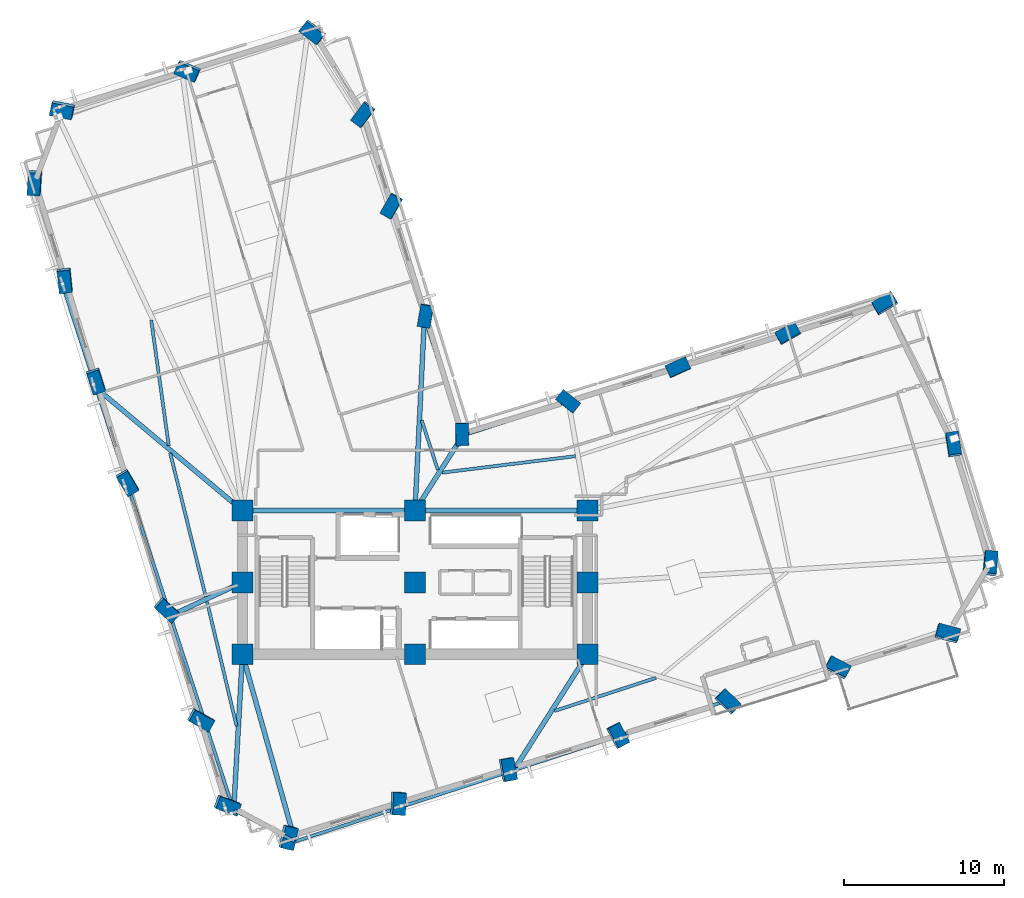
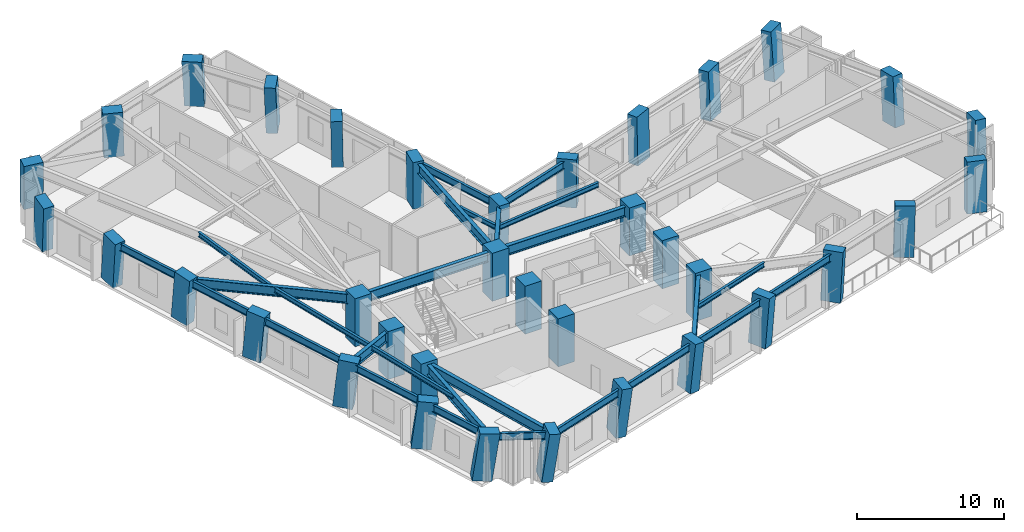
# One storey, part 1 of 14: 36 columns, 27 beams.
"""IFC4 building model written with IfcOpenShell, lengths in metres."""

from ifc_helpers import new_model, si_unit, direction, frame, origin, origin_2d, place, context, subcontext, project, spatial, rectangle, i_section, extrude, material, material_profile, profile_set, type_object, element, save


model = new_model("IFC4")

# Units and contexts
model_context = context("Model", 3, precision=1e-05, world=origin(), true_north=direction((0.0, 1.0)))
body_context = subcontext(model_context, "Body", "Model", "MODEL_VIEW")
ifc_project = project(units=[si_unit("LENGTHUNIT", "METRE"), si_unit("AREAUNIT", "SQUARE_METRE"), si_unit("VOLUMEUNIT", "CUBIC_METRE"), si_unit("PLANEANGLEUNIT", "RADIAN"), si_unit("MASSUNIT", "GRAM", prefix="KILO")], contexts=[model_context])

# Site, building, storey
site_placement = place(None, origin())
site = spatial("IfcSite", under=ifc_project, at=site_placement, CompositionType="ELEMENT")
building_placement = place(site_placement, origin())
building = spatial("IfcBuilding", under=site, at=building_placement, Name="Gaonmaruhae Medical Tower", CompositionType="ELEMENT")
storey_placement = place(building_placement, frame((0.0, 0.0, 96.39990234375)))
storey = spatial("IfcBuildingStorey", under=building, at=storey_placement, Name="L22", CompositionType="ELEMENT", Elevation=96.39990234375)

# Columns
ifc_material_1 = material(Name="Concrete C60/75", Category="concrete")
ifc_material_profile_1 = material_profile(ifc_material_1, rectangle(XDim=1.300048828125, YDim=1.300048828125, at=origin_2d()), Name="RC-1300x1300")
ifc_profile_set_1 = profile_set([ifc_material_profile_1], Name="Concrete C60/75")
column_type_1 = type_object("IfcColumnType", Name="CC-03 Zone 2 Core Column (RC-1300x1300)", PredefinedType="COLUMN", material=ifc_profile_set_1)
for number, where, z_axis, x_axis, name in (
    (1, (14.0, 7.800048828125, 0.0), (0.0, 0.0, 1.0), (1.0, 0.0, 0.0), "L22 Plumb Core Column CC11"),
    (2, (14.0, 12.300048828125, 0.0), (0.0, 0.0, 1.0), (1.0, 0.0, 0.0), "L22 Plumb Core Column CC12"),
    (3, (14.0, 16.800048828125, 0.0), (0.0, 0.0, 1.0), (1.0, 0.0, 0.0), "L22 Plumb Core Column CC13"),
    (4, (24.800048828125, 7.800048828125, 0.0), (0.0, 0.0, 1.0), (1.0, 0.0, 0.0), "L22 Plumb Core Column CC21"),
    (5, (24.800048828125, 12.300048828125, 0.0), (0.0, 0.0, 1.0), (1.0, 0.0, 0.0), "L22 Plumb Core Column CC22"),
    (6, (24.800048828125, 16.800048828125, 0.0), (0.0, 0.0, 1.0), (1.0, 0.0, 0.0), "L22 Plumb Core Column CC23"),
    (7, (35.60009765625, 7.800048828125, 0.0), (0.0, 0.0, 1.0), (1.0, 0.0, 0.0), "L22 Plumb Core Column CC31"),
    (8, (35.60009765625, 12.300048828125, 0.0), (0.0, 0.0, 1.0), (1.0, 0.0, 0.0), "L22 Plumb Core Column CC32"),
    (9, (35.60009765625, 16.800048828125, 0.0), (0.0, 0.0, 1.0), (1.0, 0.0, 0.0), "L22 Plumb Core Column CC33"),
):
    element("IfcColumn", number, at=place(storey_placement, frame(where, z_axis=z_axis, x_axis=x_axis)), inside=storey, type_object=column_type_1, Name=name, PredefinedType="COLUMN", context=body_context, shape_type="SweptSolid", body=[
        extrude(rectangle(XDim=1.300048828125, YDim=1.300048828125, at=origin_2d()), origin(), (0.0, 0.0, 1.0), 4.0),
    ])
ifc_material_profile_2 = material_profile(ifc_material_1, rectangle(XDim=1.39990234375, YDim=0.800048828125, at=origin_2d()), Name="RC-1400x800")
ifc_profile_set_2 = profile_set([ifc_material_profile_2], Name="Concrete C60/75")
column_type_2 = type_object("IfcColumnType", Name="TC-02 Mid Raking Tube Pier Column (RC-1400x800)", PredefinedType="COLUMN", material=ifc_profile_set_2)
column_1_placement = place(storey_placement, frame((16.8212890625, -3.64111328125, 0.001953125), z_axis=(0.117361622232, -0.067911160466, 0.990764514863), x_axis=(0.226549245914, 0.973183342901, 0.03987004233)))
element("IfcColumn", 10, at=column_1_placement, inside=storey, type_object=column_type_2, Name="L22 Perimeter Tube Column S01", PredefinedType="COLUMN", context=body_context, shape_type="SweptSolid", body=[
    extrude(rectangle(XDim=1.39990234375, YDim=0.800048828125, at=origin_2d()), origin(), (0.0, 0.0, 1.0), 4.03369140625),
])
column_2_placement = place(storey_placement, frame((23.702880859375, -1.52392578125, 0.001953125), z_axis=(0.108738529907, -0.039866748967, 0.993270645112), x_axis=(0.054793722335, 0.997916793661, 0.034054675485)))
element("IfcColumn", 11, at=column_2_placement, inside=storey, type_object=column_type_2, Name="L22 Perimeter Tube Column S02", PredefinedType="COLUMN", context=body_context, shape_type="SweptSolid", body=[
    extrude(rectangle(XDim=1.39990234375, YDim=0.800048828125, at=origin_2d()), origin(), (0.0, 0.0, 1.0), 4.0234375),
])
column_3_placement = place(storey_placement, frame((30.584716796875, 0.59326171875, 0.001953125), z_axis=(0.099924278098, -0.011609207492, 0.994927316415), x_axis=(-0.180291978326, 0.983168277463, 0.029579397236)))
element("IfcColumn", 12, at=column_3_placement, inside=storey, type_object=column_type_2, Name="L22 Perimeter Tube Column S03", PredefinedType="COLUMN", context=body_context, shape_type="SweptSolid", body=[
    extrude(rectangle(XDim=1.39990234375, YDim=0.800048828125, at=origin_2d()), origin(), (0.0, 0.0, 1.0), 4.0166015625),
])
column_4_placement = place(storey_placement, frame((37.46630859375, 2.710205078125, 0.001953125), z_axis=(0.091060551316, 0.016727890188, 0.995704852697), x_axis=(-0.460649221978, 0.887164683089, 0.027223507694)))
element("IfcColumn", 13, at=column_4_placement, inside=storey, type_object=column_type_2, Name="L22 Perimeter Tube Column S04", PredefinedType="COLUMN", context=body_context, shape_type="SweptSolid", body=[
    extrude(rectangle(XDim=1.39990234375, YDim=0.800048828125, at=origin_2d()), origin(), (0.0, 0.0, 1.0), 4.013671875),
])
column_5_placement = place(storey_placement, frame((44.34814453125, 4.827392578125, 0.001953125), z_axis=(0.082049974213, 0.045069704145, 0.995608619639), x_axis=(-0.716749237193, 0.696787516623, 0.027526126896)))
element("IfcColumn", 14, at=column_5_placement, inside=storey, type_object=column_type_2, Name="L22 Perimeter Tube Column S05", PredefinedType="COLUMN", context=body_context, shape_type="SweptSolid", body=[
    extrude(rectangle(XDim=1.39990234375, YDim=0.800048828125, at=origin_2d()), origin(), (0.0, 0.0, 1.0), 4.013916015625),
])
column_6_placement = place(storey_placement, frame((51.229736328125, 6.944580078125, 0.001953125), z_axis=(0.07303740566, 0.07328045859, 0.994633355445), x_axis=(-0.883427735312, 0.467578794967, 0.030422146198)))
element("IfcColumn", 15, at=column_6_placement, inside=storey, type_object=column_type_2, Name="L22 Perimeter Tube Column S06", PredefinedType="COLUMN", context=body_context, shape_type="SweptSolid", body=[
    extrude(rectangle(XDim=1.39990234375, YDim=0.800048828125, at=origin_2d()), origin(), (0.0, 0.0, 1.0), 4.017822265625),
])
column_7_placement = place(storey_placement, frame((58.111328125, 9.061767578125, 0.001953125), z_axis=(0.063925688501, 0.101407733561, 0.992788989627), x_axis=(-0.964220765458, 0.262746812496, 0.035248091899)))
element("IfcColumn", 16, at=column_7_placement, inside=storey, type_object=column_type_2, Name="L22 Perimeter Tube Column S07", PredefinedType="COLUMN", context=body_context, shape_type="SweptSolid", body=[
    extrude(rectangle(XDim=1.39990234375, YDim=0.800048828125, at=origin_2d()), origin(), (0.0, 0.0, 1.0), 4.025390625),
])
column_8_placement = place(storey_placement, frame((60.79150390625, 13.443603515625, 0.001953125), z_axis=(0.045783616594, 0.112245661345, 0.992625192085), x_axis=(-0.086057230979, -0.989529923829, 0.115864933618)))
element("IfcColumn", 17, at=column_8_placement, inside=storey, type_object=column_type_2, Name="L22 Perimeter Tube Column E01", PredefinedType="COLUMN", context=body_context, shape_type="SweptSolid", body=[
    extrude(rectangle(XDim=1.39990234375, YDim=0.800048828125, at=origin_2d()), origin(), (0.0, 0.0, 1.0), 4.026123046875),
])
column_9_placement = place(storey_placement, frame((58.497802734375, 20.898681640625, 0.001953125), z_axis=(0.015250821808, 0.102806336649, 0.994584470811), x_axis=(0.151364494888, -0.983473931417, 0.099336880918)))
element("IfcColumn", 18, at=column_9_placement, inside=storey, type_object=column_type_2, Name="L22 Perimeter Tube Column E02", PredefinedType="COLUMN", context=body_context, shape_type="SweptSolid", body=[
    extrude(rectangle(XDim=1.39990234375, YDim=0.800048828125, at=origin_2d()), origin(), (0.0, 0.0, 1.0), 4.01806640625),
])
column_10_placement = place(storey_placement, frame((54.2119140625, 29.728759765625, 0.001953125), z_axis=(-0.021056394497, 0.084955857564, 0.996162200907), x_axis=(-0.857256251173, -0.514246403244, 0.025736289084)))
element("IfcColumn", 19, at=column_10_placement, inside=storey, type_object=column_type_2, Name="L22 Perimeter Tube Column E03", PredefinedType="COLUMN", context=body_context, shape_type="SweptSolid", body=[
    extrude(rectangle(XDim=1.39990234375, YDim=0.800048828125, at=origin_2d()), origin(), (0.0, 0.0, 1.0), 4.01171875),
])
column_11_placement = place(storey_placement, frame((48.142578125, 27.861572265625, 0.001953125), z_axis=(-0.013170706194, 0.060060859267, 0.998107822674), x_axis=(-0.870744822712, -0.491402654713, 0.018079951933)))
element("IfcColumn", 20, at=column_11_placement, inside=storey, type_object=column_type_2, Name="L22 Perimeter Tube Column EN01", PredefinedType="COLUMN", context=body_context, shape_type="SweptSolid", body=[
    extrude(rectangle(XDim=1.39990234375, YDim=0.800048828125, at=origin_2d()), origin(), (0.0, 0.0, 1.0), 4.00390625),
])
column_12_placement = place(storey_placement, frame((41.260986328125, 25.744384765625, 0.001953125), z_axis=(-0.004152063563, 0.031751074307, 0.999487183334), x_axis=(-0.909616782217, -0.415341613955, 0.009415584218)))
element("IfcColumn", 21, at=column_12_placement, inside=storey, type_object=column_type_2, Name="L22 Perimeter Tube Column EN02", PredefinedType="COLUMN", context=body_context, shape_type="SweptSolid", body=[
    extrude(rectangle(XDim=1.39990234375, YDim=0.800048828125, at=origin_2d()), origin(), (0.0, 0.0, 1.0), 3.998291015625),
])
column_13_placement = place(storey_placement, frame((34.37939453125, 23.627197265625, 0.001953125), z_axis=(0.004826113392, 0.003298862319, 0.999982912922), x_axis=(-0.782107631441, 0.62314099382, 0.001718913142)))
element("IfcColumn", 22, at=column_13_placement, inside=storey, type_object=column_type_2, Name="L22 Perimeter Tube Column EN03", PredefinedType="COLUMN", context=body_context, shape_type="SweptSolid", body=[
    extrude(rectangle(XDim=1.39990234375, YDim=0.800048828125, at=origin_2d()), origin(), (0.0, 0.0, 1.0), 3.996337890625),
])
column_14_placement = place(storey_placement, frame((27.736572265625, 21.583740234375, 0.001953125), z_axis=(0.013495951859, -0.024182791566, 0.999616452383), x_axis=(-0.021912267051, 0.999460271394, 0.024474853595)))
element("IfcColumn", 23, at=column_14_placement, inside=storey, type_object=column_type_2, Name="L22 Perimeter Tube Column KN01", PredefinedType="COLUMN", context=body_context, shape_type="SweptSolid", body=[
    extrude(rectangle(XDim=1.39990234375, YDim=0.800048828125, at=origin_2d()), origin(), (0.0, 0.0, 1.0), 3.997802734375),
])
column_15_placement = place(storey_placement, frame((25.457763671875, 28.990966796875, 0.001953125), z_axis=(-0.017093218306, -0.033820153363, 0.999281751617), x_axis=(0.168398647055, 0.985053333216, 0.036219143978)))
element("IfcColumn", 24, at=column_15_placement, inside=storey, type_object=column_type_2, Name="L22 Perimeter Tube Column NE01", PredefinedType="COLUMN", context=body_context, shape_type="SweptSolid", body=[
    extrude(rectangle(XDim=1.39990234375, YDim=0.800048828125, at=origin_2d()), origin(), (0.0, 0.0, 1.0), 3.999267578125),
])
column_16_placement = place(storey_placement, frame((23.340576171875, 35.872802734375, 0.001953125), z_axis=(-0.045484855121, -0.042863073928, 0.998045031473), x_axis=(0.492578807778, 0.86821525244, 0.059736032321)))
element("IfcColumn", 25, at=column_16_placement, inside=storey, type_object=column_type_2, Name="L22 Perimeter Tube Column NE02", PredefinedType="COLUMN", context=body_context, shape_type="SweptSolid", body=[
    extrude(rectangle(XDim=1.39990234375, YDim=0.800048828125, at=origin_2d()), origin(), (0.0, 0.0, 1.0), 4.004150390625),
])
column_17_placement = place(storey_placement, frame((21.576171875, 41.607421875, 0.001953125), z_axis=(-0.068963873913, -0.050216413043, 0.996354503154), x_axis=(0.596759663559, 0.798266514459, 0.081538186404)))
element("IfcColumn", 26, at=column_17_placement, inside=storey, type_object=column_type_2, Name="L22 Perimeter Tube Column NE03", PredefinedType="COLUMN", context=body_context, shape_type="SweptSolid", body=[
    extrude(rectangle(XDim=1.39990234375, YDim=0.800048828125, at=origin_2d()), origin(), (0.0, 0.0, 1.0), 4.010986328125),
])
column_18_placement = place(storey_placement, frame((18.42236328125, 46.7578125, 0.001953125), z_axis=(-0.089927303645, -0.063270932072, 0.993936551906), x_axis=(0.789011269168, -0.61352743043, 0.032331242417)))
element("IfcColumn", 27, at=column_18_placement, inside=storey, type_object=column_type_2, Name="L22 Perimeter Tube Column N01", PredefinedType="COLUMN", context=body_context, shape_type="SweptSolid", body=[
    extrude(rectangle(XDim=1.39990234375, YDim=0.800048828125, at=origin_2d()), origin(), (0.0, 0.0, 1.0), 4.020751953125),
])
column_19_placement = place(storey_placement, frame((10.5849609375, 44.3466796875, 0.001953125), z_axis=(-0.079651712369, -0.095351707425, 0.992251811088), x_axis=(0.920581175981, -0.388838882589, 0.036532476201)))
element("IfcColumn", 28, at=column_19_placement, inside=storey, type_object=column_type_2, Name="L22 Perimeter Tube Column N02", PredefinedType="COLUMN", context=body_context, shape_type="SweptSolid", body=[
    extrude(rectangle(XDim=1.39990234375, YDim=0.800048828125, at=origin_2d()), origin(), (0.0, 0.0, 1.0), 4.027587890625),
])
column_20_placement = place(storey_placement, frame((2.747314453125, 41.935302734375, 0.001953125), z_axis=(-0.069212686317, -0.127121641331, 0.989469399405), x_axis=(0.978560331574, -0.20151506119, 0.042560046794)))
element("IfcColumn", 29, at=column_20_placement, inside=storey, type_object=column_type_2, Name="L22 Perimeter Tube Column N03", PredefinedType="COLUMN", context=body_context, shape_type="SweptSolid", body=[
    extrude(rectangle(XDim=1.39990234375, YDim=0.800048828125, at=origin_2d()), origin(), (0.0, 0.0, 1.0), 4.038818359375),
])
column_21_placement = place(storey_placement, frame((1.01220703125, 37.37353515625, 0.001953125), z_axis=(-0.050484662308, -0.134101773653, 0.989680763264), x_axis=(0.058089420302, 0.988872500431, 0.136955456772)))
element("IfcColumn", 30, at=column_21_placement, inside=storey, type_object=column_type_2, Name="L22 Perimeter Tube Column W01", PredefinedType="COLUMN", context=body_context, shape_type="SweptSolid", body=[
    extrude(rectangle(XDim=1.39990234375, YDim=0.800048828125, at=origin_2d()), origin(), (0.0, 0.0, 1.0), 4.0380859375),
])
column_22_placement = place(storey_placement, frame((2.89404296875, 31.25634765625, 0.001953125), z_axis=(-0.025504522349, -0.126432157108, 0.991647330954), x_axis=(-0.100812738036, 0.987238333702, 0.123277184906)))
element("IfcColumn", 31, at=column_22_placement, inside=storey, type_object=column_type_2, Name="L22 Perimeter Tube Column W02", PredefinedType="COLUMN", context=body_context, shape_type="SweptSolid", body=[
    extrude(rectangle(XDim=1.39990234375, YDim=0.800048828125, at=origin_2d()), origin(), (0.0, 0.0, 1.0), 4.030029296875),
])
column_23_placement = place(storey_placement, frame((4.834716796875, 24.9482421875, 0.001953125), z_axis=(0.000363967728, -0.118410834105, 0.99296462268), x_axis=(-0.296956141617, 0.948160358694, 0.113176782761)))
element("IfcColumn", 32, at=column_23_placement, inside=storey, type_object=column_type_2, Name="L22 Perimeter Tube Column W03", PredefinedType="COLUMN", context=body_context, shape_type="SweptSolid", body=[
    extrude(rectangle(XDim=1.39990234375, YDim=0.800048828125, at=origin_2d()), origin(), (0.0, 0.0, 1.0), 4.024658203125),
])
column_24_placement = place(storey_placement, frame((6.7900390625, 18.59228515625, 0.001953125), z_axis=(0.026524678267, -0.110226122959, 0.993552536739), x_axis=(-0.508055274423, 0.854480999744, 0.108360782605)))
element("IfcColumn", 33, at=column_24_placement, inside=storey, type_object=column_type_2, Name="L22 Perimeter Tube Column W04", PredefinedType="COLUMN", context=body_context, shape_type="SweptSolid", body=[
    extrude(rectangle(XDim=1.39990234375, YDim=0.800048828125, at=origin_2d()), origin(), (0.0, 0.0, 1.0), 4.022216796875),
])
column_25_placement = place(storey_placement, frame((9.245361328125, 10.611328125, 0.001953125), z_axis=(0.059282777217, -0.099755256647, 0.993244401493), x_axis=(-0.737766845814, 0.665881934483, 0.110911363471)))
element("IfcColumn", 34, at=column_25_placement, inside=storey, type_object=column_type_2, Name="L22 Perimeter Tube Column W05", PredefinedType="COLUMN", context=body_context, shape_type="SweptSolid", body=[
    extrude(rectangle(XDim=1.39990234375, YDim=0.800048828125, at=origin_2d()), origin(), (0.0, 0.0, 1.0), 4.0234375),
])
column_26_placement = place(storey_placement, frame((11.362548828125, 3.729736328125, 0.001953125), z_axis=(0.087391606735, -0.090724851098, 0.992034126664), x_axis=(-0.869573642729, 0.47890015271, 0.12040067942)))
element("IfcColumn", 35, at=column_26_placement, inside=storey, type_object=column_type_2, Name="L22 Perimeter Tube Column W06", PredefinedType="COLUMN", context=body_context, shape_type="SweptSolid", body=[
    extrude(rectangle(XDim=1.39990234375, YDim=0.800048828125, at=origin_2d()), origin(), (0.0, 0.0, 1.0), 4.0283203125),
])
column_27_placement = place(storey_placement, frame((13.00927734375, -1.622802734375, 0.001953125), z_axis=(0.109161356528, -0.083625828559, 0.99050013581), x_axis=(-0.93034853172, 0.342311315706, 0.131432768619)))
element("IfcColumn", 36, at=column_27_placement, inside=storey, type_object=column_type_2, Name="L22 Perimeter Tube Column W07", PredefinedType="COLUMN", context=body_context, shape_type="SweptSolid", body=[
    extrude(rectangle(XDim=1.39990234375, YDim=0.800048828125, at=origin_2d()), origin(), (0.0, 0.0, 1.0), 4.03466796875),
])

# Beams
ifc_material_2 = material(Name="Steel SM355", Category="steel")
ifc_material_profile_3 = material_profile(ifc_material_2, i_section(OverallWidth=0.199951171875, OverallDepth=0.39990234375, WebThickness=0.008056640625, FlangeThickness=0.012939453125, FilletRadius=0.012939453125, at=origin_2d()), Name="H-400x200x8x13")
ifc_profile_set_3 = profile_set([ifc_material_profile_3], Name="Steel SM355")
beam_type_1 = type_object("IfcBeamType", Name="FJ-01 Lower Zone Ward Floor Joist (H-400x200x8x13)", PredefinedType="JOIST", material=ifc_profile_set_3)
beam_1_placement = place(storey_placement, frame((33.523193359375, 4.248291015625, 3.580078125), z_axis=(0.950788969728, 0.309839208371, 0.0), x_axis=(-0.309839208371, 0.950788969728, 0.0)))
element("IfcBeam", 37, at=beam_1_placement, inside=storey, type_object=beam_type_1, Name="L22 Secondary Floor Joist FJ02", PredefinedType="JOIST", context=body_context, shape_type="SweptSolid", body=[
    extrude(i_section(OverallWidth=0.199951171875, OverallDepth=0.39990234375, WebThickness=0.008056640625, FlangeThickness=0.012939453125, FilletRadius=0.012939453125, at=origin_2d()), origin(), (0.0, 0.0, 1.0), 6.69140625),
])
beam_2_placement = place(storey_placement, frame((34.84423828125, 20.200927734375, 3.580078125), z_axis=(-0.992438199584, -0.122745346167, 0.0), x_axis=(0.122745346167, -0.992438199584, 0.0)))
element("IfcBeam", 38, at=beam_2_placement, inside=storey, type_object=beam_type_1, Name="L22 Secondary Floor Joist FJ07", PredefinedType="JOIST", context=body_context, shape_type="SweptSolid", body=[
    extrude(i_section(OverallWidth=0.199951171875, OverallDepth=0.39990234375, WebThickness=0.008056640625, FlangeThickness=0.012939453125, FilletRadius=0.012939453125, at=origin_2d()), origin(), (0.0, 0.0, 1.0), 8.41357421875),
])
beam_3_placement = place(storey_placement, frame((26.2333984375, 19.333740234375, 3.580078125), z_axis=(-0.309890196575, 0.950772352389, 0.0), x_axis=(-0.950772352389, -0.309890196575, 0.0)))
element("IfcBeam", 39, at=beam_3_placement, inside=storey, type_object=beam_type_1, Name="L22 Secondary Floor Joist FJ08", PredefinedType="JOIST", context=body_context, shape_type="SweptSolid", body=[
    extrude(i_section(OverallWidth=0.199951171875, OverallDepth=0.39990234375, WebThickness=0.008056640625, FlangeThickness=0.012939453125, FilletRadius=0.012939453125, at=origin_2d()), origin(), (0.0, 0.0, 1.0), 3.274169921875),
])
beam_4_placement = place(storey_placement, frame((8.289306640625, 28.714111328125, 3.580078125), z_axis=(0.138376587485, -0.990379684786, 0.0), x_axis=(0.990379684786, 0.138376587485, 0.0)))
element("IfcBeam", 40, at=beam_4_placement, inside=storey, type_object=beam_type_1, Name="L22 Secondary Floor Joist FJ12", PredefinedType="JOIST", context=body_context, shape_type="SweptSolid", body=[
    extrude(i_section(OverallWidth=0.199951171875, OverallDepth=0.39990234375, WebThickness=0.008056640625, FlangeThickness=0.012939453125, FilletRadius=0.012939453125, at=origin_2d()), origin(), (0.0, 0.0, 1.0), 7.927001953125),
])
beam_5_placement = place(storey_placement, frame((9.480712890625, 20.383056640625, 3.580078125), z_axis=(0.24045981072, -0.970659095372, 0.0), x_axis=(0.970659095372, 0.24045981072, 0.0)))
element("IfcBeam", 41, at=beam_5_placement, inside=storey, type_object=beam_type_1, Name="L22 Secondary Floor Joist FJ13", PredefinedType="JOIST", context=body_context, shape_type="SweptSolid", body=[
    extrude(i_section(OverallWidth=0.199951171875, OverallDepth=0.39990234375, WebThickness=0.008056640625, FlangeThickness=0.012939453125, FilletRadius=0.012939453125, at=origin_2d()), origin(), (0.0, 0.0, 1.0), 9.245361328125),
])
beam_6_placement = place(storey_placement, frame((11.77880859375, 11.10009765625, 3.580078125), z_axis=(0.231458405752, -0.972844800781, 0.0), x_axis=(0.972844800781, 0.231458405752, 0.0)))
element("IfcBeam", 42, at=beam_6_placement, inside=storey, type_object=beam_type_1, Name="L22 Secondary Floor Joist FJ14", PredefinedType="JOIST", context=body_context, shape_type="SweptSolid", body=[
    extrude(i_section(OverallWidth=0.199951171875, OverallDepth=0.39990234375, WebThickness=0.008056640625, FlangeThickness=0.012939453125, FilletRadius=0.012939453125, at=origin_2d()), origin(), (0.0, 0.0, 1.0), 8.008056640625),
])
ifc_material_3 = material(Name="Steel SM420", Category="steel")
ifc_material_profile_4 = material_profile(ifc_material_3, i_section(OverallWidth=0.300048828125, OverallDepth=0.800048828125, WebThickness=0.013916015625, FlangeThickness=0.02587890625, FilletRadius=0.01806640625, at=origin_2d()), Name="H-800x300x14x26")
ifc_profile_set_4 = profile_set([ifc_material_profile_4], Name="Steel SM420")
beam_type_2 = type_object("IfcBeamType", Name="PG-02 Zone 2 Radial Floor Girder (H-800x300x14x26)", PredefinedType="BEAM", material=ifc_profile_set_4)
for number, where, z_axis, x_axis, name in (
    (43, (14.050048828125, 16.800048828125, 3.380126953125), (1.0, 0.0, 0.0), (0.0, 1.0, 0.0), "L22 Beam BM-L22-CG-N1"),
    (44, (24.85009765625, 16.800048828125, 3.380126953125), (1.0, 0.0, 0.0), (0.0, 1.0, 0.0), "L22 Beam BM-L22-CG-N2"),
):
    element("IfcBeam", number, at=place(storey_placement, frame(where, z_axis=z_axis, x_axis=x_axis)), inside=storey, type_object=beam_type_2, Name=name, PredefinedType="BEAM", context=body_context, shape_type="SweptSolid", body=[
        extrude(i_section(OverallWidth=0.300048828125, OverallDepth=0.800048828125, WebThickness=0.013916015625, FlangeThickness=0.02587890625, FilletRadius=0.01806640625, at=origin_2d()), origin(), (0.0, 0.0, 1.0), 10.699951171875),
    ])
beam_7_placement = place(storey_placement, frame((14.013427734375, 7.751953125, 3.380126953125), z_axis=(0.270740890798, -0.962652258113, 0.0), x_axis=(0.962652258113, 0.270740890798, 0.0)))
element("IfcBeam", 45, at=beam_7_placement, inside=storey, type_object=beam_type_2, Name="L22 Radial Primary Girder S01", PredefinedType="BEAM", context=body_context, shape_type="SweptSolid", body=[
    extrude(i_section(OverallWidth=0.300048828125, OverallDepth=0.800048828125, WebThickness=0.013916015625, FlangeThickness=0.02587890625, FilletRadius=0.01806640625, at=origin_2d()), origin(), (0.0, 0.0, 1.0), 12.06982421875),
])
beam_8_placement = place(storey_placement, frame((35.5732421875, 7.7578125, 3.380126953125), z_axis=(-0.536695131323, -0.843776235748, 0.0), x_axis=(0.843776235748, -0.536695131323, 0.0)))
element("IfcBeam", 46, at=beam_8_placement, inside=storey, type_object=beam_type_2, Name="L22 Radial Primary Girder S03", PredefinedType="BEAM", context=body_context, shape_type="SweptSolid", body=[
    extrude(i_section(OverallWidth=0.300048828125, OverallDepth=0.800048828125, WebThickness=0.013916015625, FlangeThickness=0.02587890625, FilletRadius=0.01806640625, at=origin_2d()), origin(), (0.0, 0.0, 1.0), 8.49658203125),
])
beam_9_placement = place(storey_placement, frame((24.826904296875, 16.842041015625, 3.380126953125), z_axis=(0.537881996274, 0.843020140972, 0.0), x_axis=(-0.843020140972, 0.537881996274, 0.0)))
element("IfcBeam", 47, at=beam_9_placement, inside=storey, type_object=beam_type_2, Name="L22 Radial Primary Girder KN01", PredefinedType="BEAM", context=body_context, shape_type="SweptSolid", body=[
    extrude(i_section(OverallWidth=0.300048828125, OverallDepth=0.800048828125, WebThickness=0.013916015625, FlangeThickness=0.02587890625, FilletRadius=0.01806640625, at=origin_2d()), origin(), (0.0, 0.0, 1.0), 5.4599609375),
])
beam_10_placement = place(storey_placement, frame((24.802490234375, 16.849853515625, 3.380126953125), z_axis=(0.048827764773, 0.998807213324, 0.0), x_axis=(-0.998807213324, 0.048827764773, 0.0)))
element("IfcBeam", 48, at=beam_10_placement, inside=storey, type_object=beam_type_2, Name="L22 Radial Primary Girder NE01", PredefinedType="BEAM", context=body_context, shape_type="SweptSolid", body=[
    extrude(i_section(OverallWidth=0.300048828125, OverallDepth=0.800048828125, WebThickness=0.013916015625, FlangeThickness=0.02587890625, FilletRadius=0.01806640625, at=origin_2d()), origin(), (0.0, 0.0, 1.0), 11.969970703125),
])
beam_11_placement = place(storey_placement, frame((13.961669921875, 16.83203125, 3.380126953125), z_axis=(-0.766775594249, 0.641915249907, 0.0), x_axis=(-0.641915249907, -0.766775594249, 0.0)))
element("IfcBeam", 49, at=beam_11_placement, inside=storey, type_object=beam_type_2, Name="L22 Radial Primary Girder W03", PredefinedType="BEAM", context=body_context, shape_type="SweptSolid", body=[
    extrude(i_section(OverallWidth=0.300048828125, OverallDepth=0.800048828125, WebThickness=0.013916015625, FlangeThickness=0.02587890625, FilletRadius=0.01806640625, at=origin_2d()), origin(), (0.0, 0.0, 1.0), 11.85107421875),
])
beam_12_placement = place(storey_placement, frame((13.95458984375, 12.279052734375, 3.380126953125), z_axis=(-0.907498717226, -0.420054851458, 0.0), x_axis=(0.420054851458, -0.907498717226, 0.0)))
element("IfcBeam", 50, at=beam_12_placement, inside=storey, type_object=beam_type_2, Name="L22 Radial Primary Girder W05", PredefinedType="BEAM", context=body_context, shape_type="SweptSolid", body=[
    extrude(i_section(OverallWidth=0.300048828125, OverallDepth=0.800048828125, WebThickness=0.013916015625, FlangeThickness=0.02587890625, FilletRadius=0.01806640625, at=origin_2d()), origin(), (0.0, 0.0, 1.0), 4.87646484375),
])
beam_13_placement = place(storey_placement, frame((13.9970703125, 7.75, 3.380126953125), z_axis=(-0.056242810315, -0.99841712039, 0.0), x_axis=(0.99841712039, -0.056242810315, 0.0)))
element("IfcBeam", 51, at=beam_13_placement, inside=storey, type_object=beam_type_2, Name="L22 Radial Primary Girder W07", PredefinedType="BEAM", context=body_context, shape_type="SweptSolid", body=[
    extrude(i_section(OverallWidth=0.300048828125, OverallDepth=0.800048828125, WebThickness=0.013916015625, FlangeThickness=0.02587890625, FilletRadius=0.01806640625, at=origin_2d()), origin(), (0.0, 0.0, 1.0), 9.67578125),
])
ifc_material_profile_5 = material_profile(ifc_material_2, i_section(OverallWidth=0.199951171875, OverallDepth=0.60009765625, WebThickness=0.010986328125, FlangeThickness=0.01708984375, FilletRadius=0.012939453125, at=origin_2d()), Name="H-600x200x11x17")
ifc_profile_set_5 = profile_set([ifc_material_profile_5], Name="Steel SM355")
beam_type_3 = type_object("IfcBeamType", Name="SP-01 Lower Perimeter Spandrel Beam (H-600x200x11x17)", PredefinedType="SPANDREL", material=ifc_profile_set_5)
for number, where, z_axis, x_axis, name in (
    (52, (17.3330078125, -3.90283203125, 3.47998046875), (0.950787826961, 0.309842715104, 0.0), (-0.309842715104, 0.950787826961, 0.0), "L22 Perimeter Spandrel Beam S01-S02"),
    (53, (24.1787109375, -1.671875, 3.47998046875), (0.950787826961, 0.309842715104, 0.0), (-0.309842715104, 0.950787826961, 0.0), "L22 Perimeter Spandrel Beam S02-S03"),
):
    element("IfcBeam", number, at=place(storey_placement, frame(where, z_axis=z_axis, x_axis=x_axis)), inside=storey, type_object=beam_type_3, Name=name, PredefinedType="SPANDREL", context=body_context, shape_type="SweptSolid", body=[
        extrude(i_section(OverallWidth=0.199951171875, OverallDepth=0.60009765625, WebThickness=0.010986328125, FlangeThickness=0.01708984375, FilletRadius=0.012939453125, at=origin_2d()), origin(), (0.0, 0.0, 1.0), 7.119873046875),
    ])
beam_14_placement = place(storey_placement, frame((31.024169921875, 0.558837890625, 3.47998046875), z_axis=(0.950781017338, 0.309863610432, 0.0), x_axis=(-0.309863610432, 0.950781017338, 0.0)))
element("IfcBeam", 54, at=beam_14_placement, inside=storey, type_object=beam_type_3, Name="L22 Perimeter Spandrel Beam S03-S04", PredefinedType="SPANDREL", context=body_context, shape_type="SweptSolid", body=[
    extrude(i_section(OverallWidth=0.199951171875, OverallDepth=0.60009765625, WebThickness=0.010986328125, FlangeThickness=0.01708984375, FilletRadius=0.012939453125, at=origin_2d()), origin(), (0.0, 0.0, 1.0), 7.1201171875),
])
beam_15_placement = place(storey_placement, frame((37.869873046875, 2.789794921875, 3.47998046875), z_axis=(0.950787826961, 0.309842715104, 0.0), x_axis=(-0.309842715104, 0.950787826961, 0.0)))
element("IfcBeam", 55, at=beam_15_placement, inside=storey, type_object=beam_type_3, Name="L22 Perimeter Spandrel Beam S04-S05", PredefinedType="SPANDREL", context=body_context, shape_type="SweptSolid", body=[
    extrude(i_section(OverallWidth=0.199951171875, OverallDepth=0.60009765625, WebThickness=0.010986328125, FlangeThickness=0.01708984375, FilletRadius=0.012939453125, at=origin_2d()), origin(), (0.0, 0.0, 1.0), 7.119873046875),
])
beam_16_placement = place(storey_placement, frame((34.360595703125, 23.6279296875, 3.47998046875), z_axis=(-0.950786976695, -0.309845324231, 0.0), x_axis=(0.309845324231, -0.950786976695, 0.0)))
element("IfcBeam", 56, at=beam_16_placement, inside=storey, type_object=beam_type_3, Name="L22 Perimeter Spandrel Beam EN03-KN01", PredefinedType="SPANDREL", context=body_context, shape_type="SweptSolid", body=[
    extrude(i_section(OverallWidth=0.199951171875, OverallDepth=0.60009765625, WebThickness=0.010986328125, FlangeThickness=0.01708984375, FilletRadius=0.012939453125, at=origin_2d()), origin(), (0.0, 0.0, 1.0), 6.8701171875),
])
beam_17_placement = place(storey_placement, frame((27.7783203125, 21.52490234375, 3.47998046875), z_axis=(-0.309861107579, 0.950781833025, 0.0), x_axis=(-0.950781833025, -0.309861107579, 0.0)))
element("IfcBeam", 57, at=beam_17_placement, inside=storey, type_object=beam_type_3, Name="L22 Perimeter Spandrel Beam KN01-NE01", PredefinedType="SPANDREL", context=body_context, shape_type="SweptSolid", body=[
    extrude(i_section(OverallWidth=0.199951171875, OverallDepth=0.60009765625, WebThickness=0.010986328125, FlangeThickness=0.01708984375, FilletRadius=0.012939453125, at=origin_2d()), origin(), (0.0, 0.0, 1.0), 7.670166015625),
])
beam_18_placement = place(storey_placement, frame((2.8037109375, 30.708740234375, 3.47998046875), z_axis=(0.309817517996, -0.950796037824, 0.0), x_axis=(0.950796037824, 0.309817517996, 0.0)))
element("IfcBeam", 58, at=beam_18_placement, inside=storey, type_object=beam_type_3, Name="L22 Perimeter Spandrel Beam W02-W03", PredefinedType="SPANDREL", context=body_context, shape_type="SweptSolid", body=[
    extrude(i_section(OverallWidth=0.199951171875, OverallDepth=0.60009765625, WebThickness=0.010986328125, FlangeThickness=0.01708984375, FilletRadius=0.012939453125, at=origin_2d()), origin(), (0.0, 0.0, 1.0), 6.52001953125),
])
beam_19_placement = place(storey_placement, frame((4.8486328125, 24.433349609375, 3.47998046875), z_axis=(0.309843887853, -0.950787444785, 0.0), x_axis=(0.950787444785, 0.309843887853, 0.0)))
element("IfcBeam", 59, at=beam_19_placement, inside=storey, type_object=beam_type_3, Name="L22 Perimeter Spandrel Beam W03-W04", PredefinedType="SPANDREL", context=body_context, shape_type="SweptSolid", body=[
    extrude(i_section(OverallWidth=0.199951171875, OverallDepth=0.60009765625, WebThickness=0.010986328125, FlangeThickness=0.01708984375, FilletRadius=0.012939453125, at=origin_2d()), origin(), (0.0, 0.0, 1.0), 6.56982421875),
])
beam_20_placement = place(storey_placement, frame((6.9091796875, 18.110595703125, 3.47998046875), z_axis=(0.309834961267, -0.950790353746, 0.0), x_axis=(0.950790353746, 0.309834961267, 0.0)))
element("IfcBeam", 60, at=beam_20_placement, inside=storey, type_object=beam_type_3, Name="L22 Perimeter Spandrel Beam W04-W05", PredefinedType="SPANDREL", context=body_context, shape_type="SweptSolid", body=[
    extrude(i_section(OverallWidth=0.199951171875, OverallDepth=0.60009765625, WebThickness=0.010986328125, FlangeThickness=0.01708984375, FilletRadius=0.012939453125, at=origin_2d()), origin(), (0.0, 0.0, 1.0), 8.269775390625),
])
beam_21_placement = place(storey_placement, frame((9.496337890625, 10.171630859375, 3.47998046875), z_axis=(0.309842715104, -0.950787826961, 0.0), x_axis=(0.950787826961, 0.309842715104, 0.0)))
element("IfcBeam", 61, at=beam_21_placement, inside=storey, type_object=beam_type_3, Name="L22 Perimeter Spandrel Beam W05-W06", PredefinedType="SPANDREL", context=body_context, shape_type="SweptSolid", body=[
    extrude(i_section(OverallWidth=0.199951171875, OverallDepth=0.60009765625, WebThickness=0.010986328125, FlangeThickness=0.01708984375, FilletRadius=0.012939453125, at=origin_2d()), origin(), (0.0, 0.0, 1.0), 7.119873046875),
])
beam_22_placement = place(storey_placement, frame((11.727294921875, 3.325927734375, 3.47998046875), z_axis=(0.309825048, -0.950793584135, 0.0), x_axis=(0.950793584135, 0.309825048, 0.0)))
element("IfcBeam", 62, at=beam_22_placement, inside=storey, type_object=beam_type_3, Name="L22 Perimeter Spandrel Beam W06-W07", PredefinedType="SPANDREL", context=body_context, shape_type="SweptSolid", body=[
    extrude(i_section(OverallWidth=0.199951171875, OverallDepth=0.60009765625, WebThickness=0.010986328125, FlangeThickness=0.01708984375, FilletRadius=0.012939453125, at=origin_2d()), origin(), (0.0, 0.0, 1.0), 5.52001953125),
])
beam_23_placement = place(storey_placement, frame((13.485595703125, -1.978515625, 3.47998046875), z_axis=(0.891396582197, -0.453224153425, 0.0), x_axis=(0.453224153425, 0.891396582197, 0.0)))
element("IfcBeam", 63, at=beam_23_placement, inside=storey, type_object=beam_type_3, Name="L22 Perimeter Spandrel Beam W07-S01", PredefinedType="SPANDREL", context=body_context, shape_type="SweptSolid", body=[
    extrude(i_section(OverallWidth=0.199951171875, OverallDepth=0.60009765625, WebThickness=0.010986328125, FlangeThickness=0.01708984375, FilletRadius=0.012939453125, at=origin_2d()), origin(), (0.0, 0.0, 1.0), 4.2333984375),
])

save(model, "model.ifc")
